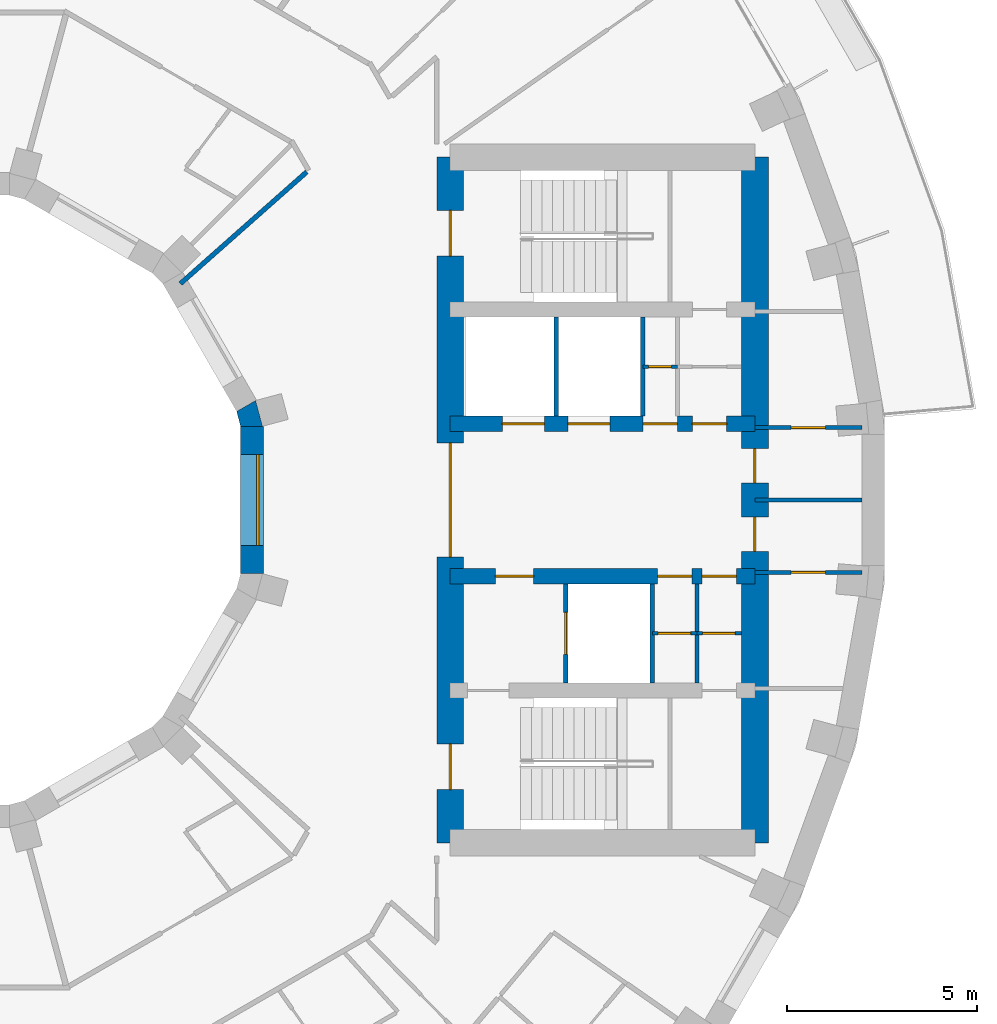
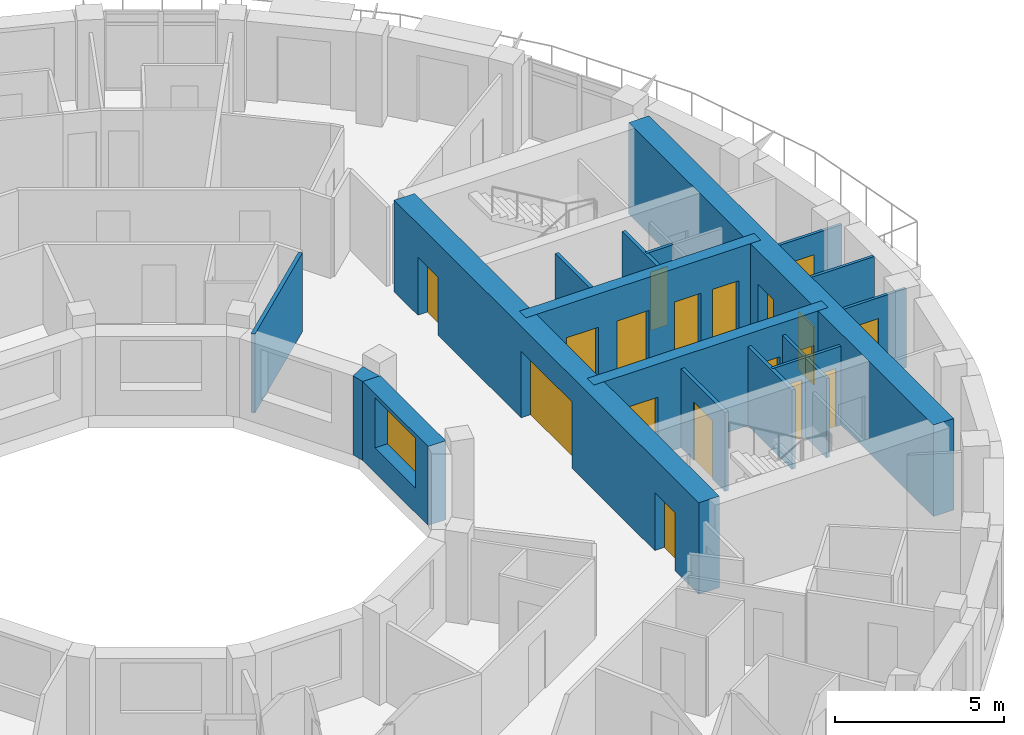
# One storey, part 9 of 15: 18 doors, 18 walls, 1 window, 19 openings.
"""IFC4 building model written with IfcOpenShell, lengths in metres."""

from ifc_helpers import new_model, si_unit, direction, frame, frame_2d, origin, place, context, subcontext, project, spatial, polyline, rectangle, outline, extrude, material, layer, layer_set, type_object, element, fill, save


model = new_model("IFC4")

# Units and contexts
model_context = context("Model", 3, precision=1e-05, world=origin(), true_north=direction((0.0, 1.0)))
body_context = subcontext(model_context, "Body", "Model", "MODEL_VIEW")
ifc_project = project(units=[si_unit("LENGTHUNIT", "METRE"), si_unit("AREAUNIT", "SQUARE_METRE"), si_unit("VOLUMEUNIT", "CUBIC_METRE"), si_unit("PLANEANGLEUNIT", "RADIAN"), si_unit("MASSUNIT", "GRAM", prefix="KILO")], contexts=[model_context])

# Site, building, storey
site_placement = place(None, origin())
site = spatial("IfcSite", under=ifc_project, at=site_placement, CompositionType="ELEMENT")
building_placement = place(site_placement, origin())
building = spatial("IfcBuilding", under=site, at=building_placement, Name="Saqina Gate Tower", CompositionType="ELEMENT")
storey_placement = place(building_placement, frame((0.0, 0.0, 193.800048828125)))
storey = spatial("IfcBuildingStorey", under=building, at=storey_placement, Name="L55", CompositionType="ELEMENT", Elevation=193.800048828125)

# Wall, opening, door
ifc_material_1 = material(Name="Gypsum board on steel studs", Category="steel")
ifc_layer_1 = layer(ifc_material_1, 0.10009765625)
ifc_layer_set_1 = layer_set([ifc_layer_1], Name="CORE PARTITION")
wall_type_1 = type_object("IfcWallType", Name="CORE PARTITION", PredefinedType="PARTITIONING", material=ifc_layer_set_1)
wall_1_placement = place(storey_placement, frame((21.5, 1.89990234375, 0.0), z_axis=(0.0, 0.0, 1.0), x_axis=(1.0, 0.0, 0.0)))
wall_1 = element("IfcWall", 1, at=wall_1_placement, inside=storey, type_object=wall_type_1, Name="L55-CP-E02", PredefinedType="PARTITIONING", context=body_context, shape_type="SweptSolid", body=[
    extrude(rectangle(XDim=2.804931640625, YDim=0.10009765625, at=frame_2d((1.40234375, 0.0))), origin(), (0.0, 0.0, 1.0), 2.849853515625),
])
opening_1_placement = place(wall_1_placement, frame((0.952392578125, 0.0, 0.0)))
opening_1 = element("IfcOpeningElement", 2, at=opening_1_placement, cuts=wall_1, Name="Opening G16-D95", PredefinedType="OPENING", context=body_context, shape_type="SweptSolid", body=[
    extrude(rectangle(XDim=0.89990234375, YDim=2.10009765625, at=frame_2d((0.449951171875, 1.050048828125))), frame((0.0, 0.06201171875, 0.0), z_axis=(0.0, -1.0, 0.0), x_axis=(1.0, 0.0, 0.0)), (0.0, 0.0, 1.0), 0.1240234375),
])
ifc_material_2 = material(Name="Steel-framed fire door leaf, EI 60", Category="steel")
door_type_1 = type_object("IfcDoorType", Name="SERVICE ROOM DOOR 900", OperationType="SINGLE_SWING_LEFT", PredefinedType="DOOR", material=ifc_material_2)
door_1_placement = place(opening_1_placement, origin())
door_1 = element("IfcDoor", 3, at=door_1_placement, inside=storey, type_object=door_type_1, Name="L55-CD-E06", OperationType="SINGLE_SWING_LEFT", OverallHeight=2.10009765625, OverallWidth=0.89990234375, PredefinedType="DOOR", context=body_context, shape_type="SweptSolid", body=[
    extrude(rectangle(XDim=0.89990234375, YDim=2.10009765625, at=frame_2d((0.449951171875, 1.050048828125))), frame((0.0, 0.02490234375, 0.0), z_axis=(0.0, -1.0, 0.0), x_axis=(1.0, 0.0, 0.0)), (0.0, 0.0, 1.0), 0.050048828125),
])
fill(opening_1, door_1)

wall_2_placement = place(storey_placement, frame((21.5, -1.89990234375, 0.0), z_axis=(0.0, 0.0, 1.0), x_axis=(1.0, 0.0, 0.0)))
wall_2 = element("IfcWall", 4, at=wall_2_placement, inside=storey, type_object=wall_type_1, Name="L55-CP-E04", PredefinedType="PARTITIONING", context=body_context, shape_type="SweptSolid", body=[
    extrude(rectangle(XDim=2.804931640625, YDim=0.10009765625, at=frame_2d((1.40234375, 0.0))), origin(), (0.0, 0.0, 1.0), 2.849853515625),
])
opening_2_placement = place(wall_2_placement, frame((0.952392578125, 0.0, 0.0)))
opening_2 = element("IfcOpeningElement", 5, at=opening_2_placement, cuts=wall_2, Name="Opening G16-D97", PredefinedType="OPENING", context=body_context, shape_type="SweptSolid", body=[
    extrude(rectangle(XDim=0.89990234375, YDim=2.10009765625, at=frame_2d((0.449951171875, 1.050048828125))), frame((0.0, 0.06201171875, 0.0), z_axis=(0.0, -1.0, 0.0), x_axis=(1.0, 0.0, 0.0)), (0.0, 0.0, 1.0), 0.1240234375),
])
door_2_placement = place(opening_2_placement, frame((0.89990234375, 0.0, 0.0), z_axis=(0.0, 0.0, 1.0), x_axis=(-1.0, 0.0, 0.0)))
door_2 = element("IfcDoor", 6, at=door_2_placement, inside=storey, type_object=door_type_1, Name="L55-CD-E08", OperationType="SINGLE_SWING_RIGHT", OverallHeight=2.10009765625, OverallWidth=0.89990234375, PredefinedType="DOOR", context=body_context, shape_type="SweptSolid", body=[
    extrude(rectangle(XDim=0.89990234375, YDim=2.10009765625, at=frame_2d((0.449951171875, 1.050048828125))), frame((0.0, 0.02490234375, 0.0), z_axis=(0.0, -1.0, 0.0), x_axis=(1.0, 0.0, 0.0)), (0.0, 0.0, 1.0), 0.050048828125),
])
fill(opening_2, door_2)

# Walls
wall_3_placement = place(storey_placement, frame((21.5, 0.0, 0.0), z_axis=(0.0, 0.0, 1.0), x_axis=(1.0, 0.0, 0.0)))
element("IfcWall", 7, at=wall_3_placement, inside=storey, type_object=wall_type_1, Name="L55-CP-E05", PredefinedType="PARTITIONING", context=body_context, shape_type="SweptSolid", body=[
    extrude(rectangle(XDim=2.804931640625, YDim=0.10009765625, at=frame_2d((1.40234375, 0.0))), origin(), (0.0, 0.0, 1.0), 2.849853515625),
])
wall_4_placement = place(storey_placement, frame((19.97998046875, -4.800048828125, 0.0), z_axis=(0.0, 0.0, 1.0), x_axis=(0.0, 1.0, 0.0)))
element("IfcWall", 8, at=wall_4_placement, inside=storey, type_object=wall_type_1, Name="L55-CP-E11", PredefinedType="PARTITIONING", context=body_context, shape_type="SweptSolid", body=[
    extrude(rectangle(XDim=2.60009765625, YDim=0.10009765625, at=frame_2d((1.300048828125, 0.0))), origin(), (0.0, 0.0, 1.0), 2.849853515625),
])

# Wall, opening, door
wall_5_placement = place(storey_placement, frame((18.56005859375, 3.5, 0.0), z_axis=(0.0, 0.0, 1.0), x_axis=(1.0, 0.0, 0.0)))
wall_5 = element("IfcWall", 9, at=wall_5_placement, inside=storey, type_object=wall_type_1, Name="L55-CP-E12", PredefinedType="PARTITIONING", context=body_context, shape_type="SweptSolid", body=[
    extrude(rectangle(XDim=0.906494140625, YDim=0.10009765625, at=frame_2d((0.453125, 0.0))), origin(), (0.0, 0.0, 1.0), 2.849853515625),
])
opening_3_placement = place(wall_5_placement, frame((0.149658203125, 0.0, 0.0)))
opening_3 = element("IfcOpeningElement", 10, at=opening_3_placement, cuts=wall_5, Name="Opening G16-D99", PredefinedType="OPENING", context=body_context, shape_type="SweptSolid", body=[
    extrude(rectangle(XDim=0.60009765625, YDim=2.10009765625, at=frame_2d((0.300048828125, 1.050048828125))), frame((0.0, 0.06201171875, 0.0), z_axis=(0.0, -1.0, 0.0), x_axis=(1.0, 0.0, 0.0)), (0.0, 0.0, 1.0), 0.1240234375),
])
ifc_material_3 = material(Name="Steel-framed fire door leaf, EI 60", Category="steel")
door_type_2 = type_object("IfcDoorType", Name="SERVICE ROOM DOOR 600", OperationType="SINGLE_SWING_LEFT", PredefinedType="DOOR", material=ifc_material_3)
door_3_placement = place(opening_3_placement, origin())
door_3 = element("IfcDoor", 11, at=door_3_placement, inside=storey, type_object=door_type_2, Name="L55-CD-E10", OperationType="SINGLE_SWING_LEFT", OverallHeight=2.10009765625, OverallWidth=0.60009765625, PredefinedType="DOOR", context=body_context, shape_type="SweptSolid", body=[
    extrude(rectangle(XDim=0.60009765625, YDim=2.10009765625, at=frame_2d((0.300048828125, 1.050048828125))), frame((0.0, 0.02490234375, 0.0), z_axis=(0.0, -1.0, 0.0), x_axis=(1.0, 0.0, 0.0)), (0.0, 0.0, 1.0), 0.050048828125),
])
fill(opening_3, door_3)

wall_6_placement = place(storey_placement, frame((18.81005859375, -3.5, 0.0), z_axis=(0.0, 0.0, 1.0), x_axis=(1.0, 0.0, 0.0)))
wall_6 = element("IfcWall", 12, at=wall_6_placement, inside=storey, type_object=wall_type_1, Name="L55-CP-E14", PredefinedType="PARTITIONING", context=body_context, shape_type="SweptSolid", body=[
    extrude(rectangle(XDim=1.169921875, YDim=0.10009765625, at=frame_2d((0.5849609375, 0.0))), origin(), (0.0, 0.0, 1.0), 2.849853515625),
])
opening_4_placement = place(wall_6_placement, frame((0.14990234375, 0.0, 0.0)))
opening_4 = element("IfcOpeningElement", 13, at=opening_4_placement, cuts=wall_6, Name="Opening G16-D102", PredefinedType="OPENING", context=body_context, shape_type="SweptSolid", body=[
    extrude(rectangle(XDim=0.85009765625, YDim=2.10009765625, at=frame_2d((0.425048828125, 1.050048828125))), frame((0.0, 0.06201171875, 0.0), z_axis=(0.0, -1.0, 0.0), x_axis=(1.0, 0.0, 0.0)), (0.0, 0.0, 1.0), 0.1240234375),
])
ifc_material_4 = material(Name="Steel-framed fire door leaf, EI 60", Category="steel")
door_type_3 = type_object("IfcDoorType", Name="SERVICE ROOM DOOR 850", OperationType="SINGLE_SWING_LEFT", PredefinedType="DOOR", material=ifc_material_4)
door_4_placement = place(opening_4_placement, frame((0.85009765625, 0.0, 0.0), z_axis=(0.0, 0.0, 1.0), x_axis=(-1.0, 0.0, 0.0)))
door_4 = element("IfcDoor", 14, at=door_4_placement, inside=storey, type_object=door_type_3, Name="L55-CD-E13", OperationType="SINGLE_SWING_RIGHT", OverallHeight=2.10009765625, OverallWidth=0.85009765625, PredefinedType="DOOR", context=body_context, shape_type="SweptSolid", body=[
    extrude(rectangle(XDim=0.85009765625, YDim=2.10009765625, at=frame_2d((0.425048828125, 1.050048828125))), frame((0.0, 0.02490234375, 0.0), z_axis=(0.0, -1.0, 0.0), x_axis=(1.0, 0.0, 0.0)), (0.0, 0.0, 1.0), 0.050048828125),
])
fill(opening_4, door_4)

wall_7_placement = place(storey_placement, frame((19.97998046875, -3.5, 0.0), z_axis=(0.0, 0.0, 1.0), x_axis=(1.0, 0.0, 0.0)))
wall_7 = element("IfcWall", 15, at=wall_7_placement, inside=storey, type_object=wall_type_1, Name="L55-CP-E15", PredefinedType="PARTITIONING", context=body_context, shape_type="SweptSolid", body=[
    extrude(rectangle(XDim=1.169921875, YDim=0.10009765625, at=frame_2d((0.5849609375, 0.0))), origin(), (0.0, 0.0, 1.0), 2.849853515625),
])
opening_5_placement = place(wall_7_placement, frame((0.14990234375, 0.0, 0.0)))
opening_5 = element("IfcOpeningElement", 16, at=opening_5_placement, cuts=wall_7, Name="Opening G16-D103", PredefinedType="OPENING", context=body_context, shape_type="SweptSolid", body=[
    extrude(rectangle(XDim=0.85009765625, YDim=2.10009765625, at=frame_2d((0.425048828125, 1.050048828125))), frame((0.0, 0.06201171875, 0.0), z_axis=(0.0, -1.0, 0.0), x_axis=(1.0, 0.0, 0.0)), (0.0, 0.0, 1.0), 0.1240234375),
])
door_5_placement = place(opening_5_placement, frame((0.85009765625, 0.0, 0.0), z_axis=(0.0, 0.0, 1.0), x_axis=(-1.0, 0.0, 0.0)))
door_5 = element("IfcDoor", 17, at=door_5_placement, inside=storey, type_object=door_type_3, Name="L55-CD-E14", OperationType="SINGLE_SWING_LEFT", OverallHeight=2.10009765625, OverallWidth=0.85009765625, PredefinedType="DOOR", context=body_context, shape_type="SweptSolid", body=[
    extrude(rectangle(XDim=0.85009765625, YDim=2.10009765625, at=frame_2d((0.425048828125, 1.050048828125))), frame((0.0, 0.02490234375, 0.0), z_axis=(0.0, -1.0, 0.0), x_axis=(1.0, 0.0, 0.0)), (0.0, 0.0, 1.0), 0.050048828125),
])
fill(opening_5, door_5)

# Wall, opening, window
ifc_material_5 = material(Name="Glazed ceramic tile", Category="ceramic")
ifc_layer_2 = layer(ifc_material_5, 0.60009765625)
ifc_layer_set_2 = layer_set([ifc_layer_2], Name="IW-TILE")
wall_type_2 = type_object("IfcWallType", Name="IW-TILE", PredefinedType="SOLIDWALL", material=ifc_layer_set_2)
wall_8_placement = place(storey_placement, frame((8.300048828125, -1.934814453125, 0.0), z_axis=(0.0, 0.0, 1.0), x_axis=(0.0, 1.0, 0.0)))
wall_8 = element("IfcWall", 18, at=wall_8_placement, inside=storey, type_object=wall_type_2, Name="Well wall L55 facet 12", PredefinedType="SOLIDWALL", context=body_context, shape_type="SweptSolid", body=[
    extrude(rectangle(XDim=3.86962890625, YDim=0.60009765625, at=frame_2d((1.934814453125, 0.0))), origin(), (0.0, 0.0, 1.0), 2.849853515625),
])
opening_6_placement = place(wall_8_placement, frame((0.73486328125, 0.0, 0.89990234375)))
opening_6 = element("IfcOpeningElement", 19, at=opening_6_placement, cuts=wall_8, Name="Opening G16-W34", PredefinedType="OPENING", context=body_context, shape_type="SweptSolid", body=[
    extrude(rectangle(XDim=2.39990234375, YDim=1.800048828125, at=frame_2d((1.199951171875, 0.89990234375))), frame((0.0, 0.31201171875, 0.0), z_axis=(0.0, -1.0, 0.0), x_axis=(1.0, 0.0, 0.0)), (0.0, 0.0, 1.0), 0.6240234375),
])
ifc_material_6 = material(Name="Aluminium glazing", Category="aluminium")
window_type = type_object("IfcWindowType", Name="WN-W", PartitioningType="SINGLE_PANEL", PredefinedType="WINDOW", material=ifc_material_6)
window_placement = place(opening_6_placement, origin())
window = element("IfcWindow", 20, at=window_placement, inside=storey, type_object=window_type, Name="Well window L55 facet 12", OverallHeight=1.800048828125, OverallWidth=2.39990234375, PartitioningType="SINGLE_PANEL", PredefinedType="WINDOW", context=body_context, shape_type="SweptSolid", body=[
    extrude(rectangle(XDim=2.39990234375, YDim=1.800048828125, at=frame_2d((1.199951171875, 0.89990234375))), frame((0.0, -0.119873046875, 0.0), z_axis=(0.0, -1.0, 0.0), x_axis=(1.0, 0.0, 0.0)), (0.0, 0.0, 1.0), 0.06005859375),
])
fill(opening_6, window)

# Walls
ifc_material_7 = material(Name="Gypsum board on steel studs, 125 mm, fire rated", Category="steel")
ifc_layer_3 = layer(ifc_material_7, 0.125)
ifc_layer_set_3 = layer_set([ifc_layer_3], Name="PARTITION EI 30 125")
wall_type_3 = type_object("IfcWallType", Name="PARTITION EI 30 125", PredefinedType="PARTITIONING", material=ifc_layer_set_3)
wall_9_placement = place(storey_placement, frame((6.419921875, 5.679931640625, 0.0), z_axis=(0.0, 0.0, 1.0), x_axis=(0.748961830347, 0.662613142552, 0.0)))
element("IfcWall", 21, at=wall_9_placement, inside=storey, type_object=wall_type_3, Name="PARTITION PW1-41", PredefinedType="PARTITIONING", context=body_context, shape_type="SweptSolid", body=[
    extrude(rectangle(XDim=4.427734375, YDim=0.125, at=frame_2d((2.2138671875, 0.0))), origin(), (0.0, 0.0, 1.0), 2.849853515625),
])
ifc_material_8 = material(Name="Autoclaved aerated concrete block", Category="concrete")
ifc_layer_4 = layer(ifc_material_8, 0.1201171875)
ifc_layer_set_4 = layer_set([ifc_layer_4], Name="SHAFT PARTITION")
wall_type_4 = type_object("IfcWallType", Name="SHAFT PARTITION", PredefinedType="PARTITIONING", material=ifc_layer_set_4)
for number, where, z_axis, x_axis, name in (
    (22, (16.280029296875, 2.199951171875, 0.0), (0.0, 0.0, 1.0), (0.0, 1.0, 0.0), "L55-CP-E06"),
    (23, (18.56005859375, 2.199951171875, 0.0), (0.0, 0.0, 1.0), (0.0, 1.0, 0.0), "L55-CP-E07"),
):
    element("IfcWall", number, at=place(storey_placement, frame(where, z_axis=z_axis, x_axis=x_axis)), inside=storey, type_object=wall_type_4, Name=name, PredefinedType="PARTITIONING", context=body_context, shape_type="SweptSolid", body=[
        extrude(rectangle(XDim=2.60009765625, YDim=0.1201171875, at=frame_2d((1.300048828125, 0.0))), origin(), (0.0, 0.0, 1.0), 2.849853515625),
    ])

# Wall, opening, door
wall_10_placement = place(storey_placement, frame((16.530029296875, -4.800048828125, 0.0), z_axis=(0.0, 0.0, 1.0), x_axis=(0.0, 1.0, 0.0)))
wall_10 = element("IfcWall", 24, at=wall_10_placement, inside=storey, type_object=wall_type_4, Name="L55-CP-E09", PredefinedType="PARTITIONING", context=body_context, shape_type="SweptSolid", body=[
    extrude(rectangle(XDim=2.60009765625, YDim=0.1201171875, at=frame_2d((1.300048828125, 0.0))), origin(), (0.0, 0.0, 1.0), 2.849853515625),
])
opening_7_placement = place(wall_10_placement, frame((0.75, 0.0, 0.0)))
opening_7 = element("IfcOpeningElement", 25, at=opening_7_placement, cuts=wall_10, Name="Opening G16-LD3", PredefinedType="OPENING", context=body_context, shape_type="SweptSolid", body=[
    extrude(rectangle(XDim=1.10009765625, YDim=2.10009765625, at=frame_2d((0.550048828125, 1.050048828125))), frame((0.0, 0.072021484375, 0.0), z_axis=(0.0, -1.0, 0.0), x_axis=(1.0, 0.0, 0.0)), (0.0, 0.0, 1.0), 0.14404296875),
])
ifc_material_9 = material(Name="Stainless steel", Category="steel")
door_type_4 = type_object("IfcDoorType", Name="LANDING DOOR", OperationType="DOUBLE_DOOR_SLIDING", PredefinedType="DOOR", material=ifc_material_9)
door_6_placement = place(opening_7_placement, origin())
door_6 = element("IfcDoor", 26, at=door_6_placement, inside=storey, type_object=door_type_4, Name="LANDING DOOR FF1", OperationType="DOUBLE_DOOR_SLIDING", OverallHeight=2.10009765625, OverallWidth=1.10009765625, PredefinedType="DOOR", context=body_context, shape_type="SweptSolid", body=[
    extrude(rectangle(XDim=1.10009765625, YDim=2.10009765625, at=frame_2d((0.550048828125, 1.050048828125))), frame((0.0, 0.02490234375, 0.0), z_axis=(0.0, -1.0, 0.0), x_axis=(1.0, 0.0, 0.0)), (0.0, 0.0, 1.0), 0.050048828125),
])
fill(opening_7, door_6)

# Wall
wall_11_placement = place(storey_placement, frame((18.81005859375, -4.800048828125, 0.0), z_axis=(0.0, 0.0, 1.0), x_axis=(0.0, 1.0, 0.0)))
element("IfcWall", 27, at=wall_11_placement, inside=storey, type_object=wall_type_4, Name="L55-CP-E10", PredefinedType="PARTITIONING", context=body_context, shape_type="SweptSolid", body=[
    extrude(rectangle(XDim=2.60009765625, YDim=0.1201171875, at=frame_2d((1.300048828125, 0.0))), origin(), (0.0, 0.0, 1.0), 2.849853515625),
])

# Wall, openings, doors
ifc_material_10 = material(Name="Concrete C60/75", Category="concrete")
ifc_layer_5 = layer(ifc_material_10, 0.39990234375)
ifc_layer_set_5 = layer_set([ifc_layer_5], Name="Concrete C60/75")
wall_type_5 = type_object("IfcWallType", Name="STR-CORE WALL-C-I", PredefinedType="SHEAR", material=ifc_layer_set_5)
wall_12_placement = place(storey_placement, frame((13.5, 2.0, 0.0), z_axis=(0.0, 0.0, 1.0), x_axis=(1.0, 0.0, 0.0)))
wall_12 = element("IfcWall", 28, at=wall_12_placement, inside=storey, type_object=wall_type_5, Name="CORE WALL L55 E-L1", PredefinedType="SHEAR", context=body_context, shape_type="SweptSolid", body=[
    extrude(rectangle(XDim=8.0, YDim=0.39990234375, at=frame_2d((4.0, 0.0))), origin(), (0.0, 0.0, 1.0), 3.300048828125),
])
opening_8_placement = place(wall_12_placement, frame((1.3701171875, 0.0, 0.0)))
opening_8 = element("IfcOpeningElement", 29, at=opening_8_placement, cuts=wall_12, Name="Opening G16-LD1", PredefinedType="OPENING", context=body_context, shape_type="SweptSolid", body=[
    extrude(rectangle(XDim=1.10009765625, YDim=2.10009765625, at=frame_2d((0.550048828125, 1.050048828125))), frame((0.0, 0.2119140625, 0.0), z_axis=(0.0, -1.0, 0.0), x_axis=(1.0, 0.0, 0.0)), (0.0, 0.0, 1.0), 0.423828125),
])
opening_9_placement = place(wall_12_placement, frame((3.090087890625, 0.0, 0.0)))
opening_9 = element("IfcOpeningElement", 30, at=opening_9_placement, cuts=wall_12, Name="Opening G16-LD2", PredefinedType="OPENING", context=body_context, shape_type="SweptSolid", body=[
    extrude(rectangle(XDim=1.10009765625, YDim=2.10009765625, at=frame_2d((0.550048828125, 1.050048828125))), frame((0.0, 0.2119140625, 0.0), z_axis=(0.0, -1.0, 0.0), x_axis=(1.0, 0.0, 0.0)), (0.0, 0.0, 1.0), 0.423828125),
])
opening_10_placement = place(wall_12_placement, frame((5.063232421875, 0.0, 0.0)))
opening_10 = element("IfcOpeningElement", 31, at=opening_10_placement, cuts=wall_12, Name="Opening G16-D90", PredefinedType="OPENING", context=body_context, shape_type="SweptSolid", body=[
    extrude(rectangle(XDim=0.89990234375, YDim=2.10009765625, at=frame_2d((0.449951171875, 1.050048828125))), frame((0.0, 0.2119140625, 0.0), z_axis=(0.0, -1.0, 0.0), x_axis=(1.0, 0.0, 0.0)), (0.0, 0.0, 1.0), 0.423828125),
])
opening_11_placement = place(wall_12_placement, frame((6.358154296875, 0.0, 0.0)))
opening_11 = element("IfcOpeningElement", 32, at=opening_11_placement, cuts=wall_12, Name="Opening G16-D91", PredefinedType="OPENING", context=body_context, shape_type="SweptSolid", body=[
    extrude(rectangle(XDim=0.89990234375, YDim=2.10009765625, at=frame_2d((0.449951171875, 1.050048828125))), frame((0.0, 0.2119140625, 0.0), z_axis=(0.0, -1.0, 0.0), x_axis=(1.0, 0.0, 0.0)), (0.0, 0.0, 1.0), 0.423828125),
])
door_7_placement = place(opening_8_placement, origin())
door_7 = element("IfcDoor", 33, at=door_7_placement, inside=storey, type_object=door_type_4, Name="LANDING DOOR HR1", OperationType="DOUBLE_DOOR_SLIDING", OverallHeight=2.10009765625, OverallWidth=1.10009765625, PredefinedType="DOOR", context=body_context, shape_type="SweptSolid", body=[
    extrude(rectangle(XDim=1.10009765625, YDim=2.10009765625, at=frame_2d((0.550048828125, 1.050048828125))), frame((0.0, 0.02490234375, 0.0), z_axis=(0.0, -1.0, 0.0), x_axis=(1.0, 0.0, 0.0)), (0.0, 0.0, 1.0), 0.050048828125),
])
fill(opening_8, door_7)
door_8_placement = place(opening_9_placement, origin())
door_8 = element("IfcDoor", 34, at=door_8_placement, inside=storey, type_object=door_type_4, Name="LANDING DOOR HR2", OperationType="DOUBLE_DOOR_SLIDING", OverallHeight=2.10009765625, OverallWidth=1.10009765625, PredefinedType="DOOR", context=body_context, shape_type="SweptSolid", body=[
    extrude(rectangle(XDim=1.10009765625, YDim=2.10009765625, at=frame_2d((0.550048828125, 1.050048828125))), frame((0.0, 0.02490234375, 0.0), z_axis=(0.0, -1.0, 0.0), x_axis=(1.0, 0.0, 0.0)), (0.0, 0.0, 1.0), 0.050048828125),
])
fill(opening_9, door_8)
door_9_placement = place(opening_10_placement, origin())
door_9 = element("IfcDoor", 35, at=door_9_placement, inside=storey, type_object=door_type_1, Name="L55-CD-E01", OperationType="SINGLE_SWING_LEFT", OverallHeight=2.10009765625, OverallWidth=0.89990234375, PredefinedType="DOOR", context=body_context, shape_type="SweptSolid", body=[
    extrude(rectangle(XDim=0.89990234375, YDim=2.10009765625, at=frame_2d((0.449951171875, 1.050048828125))), frame((0.0, 0.02490234375, 0.0), z_axis=(0.0, -1.0, 0.0), x_axis=(1.0, 0.0, 0.0)), (0.0, 0.0, 1.0), 0.050048828125),
])
fill(opening_10, door_9)
door_10_placement = place(opening_11_placement, origin())
door_10 = element("IfcDoor", 36, at=door_10_placement, inside=storey, type_object=door_type_1, Name="L55-CD-E02", OperationType="SINGLE_SWING_RIGHT", OverallHeight=2.10009765625, OverallWidth=0.89990234375, PredefinedType="DOOR", context=body_context, shape_type="SweptSolid", body=[
    extrude(rectangle(XDim=0.89990234375, YDim=2.10009765625, at=frame_2d((0.449951171875, 1.050048828125))), frame((0.0, 0.02490234375, 0.0), z_axis=(0.0, -1.0, 0.0), x_axis=(1.0, 0.0, 0.0)), (0.0, 0.0, 1.0), 0.050048828125),
])
fill(opening_11, door_10)

wall_13_placement = place(storey_placement, frame((13.5, -2.0, 0.0), z_axis=(0.0, 0.0, 1.0), x_axis=(1.0, 0.0, 0.0)))
wall_13 = element("IfcWall", 37, at=wall_13_placement, inside=storey, type_object=wall_type_5, Name="CORE WALL L55 E-L2", PredefinedType="SHEAR", context=body_context, shape_type="SweptSolid", body=[
    extrude(rectangle(XDim=8.0, YDim=0.39990234375, at=frame_2d((4.0, 0.0))), origin(), (0.0, 0.0, 1.0), 3.300048828125),
])
opening_12_placement = place(wall_13_placement, frame((1.18994140625, 0.0, 0.0)))
opening_12 = element("IfcOpeningElement", 38, at=opening_12_placement, cuts=wall_13, Name="Opening G16-D92", PredefinedType="OPENING", context=body_context, shape_type="SweptSolid", body=[
    extrude(rectangle(XDim=1.0, YDim=2.10009765625, at=frame_2d((0.5, 1.050048828125))), frame((0.0, 0.2119140625, 0.0), z_axis=(0.0, -1.0, 0.0), x_axis=(1.0, 0.0, 0.0)), (0.0, 0.0, 1.0), 0.423828125),
])
opening_13_placement = place(wall_13_placement, frame((5.445068359375, 0.0, 0.0)))
opening_13 = element("IfcOpeningElement", 39, at=opening_13_placement, cuts=wall_13, Name="Opening G16-D93", PredefinedType="OPENING", context=body_context, shape_type="SweptSolid", body=[
    extrude(rectangle(XDim=0.89990234375, YDim=2.10009765625, at=frame_2d((0.449951171875, 1.050048828125))), frame((0.0, 0.2119140625, 0.0), z_axis=(0.0, -1.0, 0.0), x_axis=(1.0, 0.0, 0.0)), (0.0, 0.0, 1.0), 0.423828125),
])
opening_14_placement = place(wall_13_placement, frame((6.614990234375, 0.0, 0.0)))
opening_14 = element("IfcOpeningElement", 40, at=opening_14_placement, cuts=wall_13, Name="Opening G16-D94", PredefinedType="OPENING", context=body_context, shape_type="SweptSolid", body=[
    extrude(rectangle(XDim=0.89990234375, YDim=2.10009765625, at=frame_2d((0.449951171875, 1.050048828125))), frame((0.0, 0.2119140625, 0.0), z_axis=(0.0, -1.0, 0.0), x_axis=(1.0, 0.0, 0.0)), (0.0, 0.0, 1.0), 0.423828125),
])
ifc_material_11 = material(Name="Steel", Category="steel")
door_type_5 = type_object("IfcDoorType", Name="FIRE LOBBY DOOR EI 60", OperationType="SINGLE_SWING_LEFT", PredefinedType="DOOR", material=ifc_material_11)
door_11_placement = place(opening_12_placement, origin())
door_11 = element("IfcDoor", 41, at=door_11_placement, inside=storey, type_object=door_type_5, Name="L55-CD-E03", OperationType="SINGLE_SWING_LEFT", OverallHeight=2.10009765625, OverallWidth=1.0, PredefinedType="DOOR", context=body_context, shape_type="SweptSolid", body=[
    extrude(rectangle(XDim=1.0, YDim=2.10009765625, at=frame_2d((0.5, 1.050048828125))), frame((0.0, 0.02490234375, 0.0), z_axis=(0.0, -1.0, 0.0), x_axis=(1.0, 0.0, 0.0)), (0.0, 0.0, 1.0), 0.050048828125),
])
fill(opening_12, door_11)
door_12_placement = place(opening_13_placement, frame((0.89990234375, 0.0, 0.0), z_axis=(0.0, 0.0, 1.0), x_axis=(-1.0, 0.0, 0.0)))
door_12 = element("IfcDoor", 42, at=door_12_placement, inside=storey, type_object=door_type_1, Name="L55-CD-E04", OperationType="SINGLE_SWING_RIGHT", OverallHeight=2.10009765625, OverallWidth=0.89990234375, PredefinedType="DOOR", context=body_context, shape_type="SweptSolid", body=[
    extrude(rectangle(XDim=0.89990234375, YDim=2.10009765625, at=frame_2d((0.449951171875, 1.050048828125))), frame((0.0, 0.02490234375, 0.0), z_axis=(0.0, -1.0, 0.0), x_axis=(1.0, 0.0, 0.0)), (0.0, 0.0, 1.0), 0.050048828125),
])
fill(opening_13, door_12)
door_13_placement = place(opening_14_placement, frame((0.89990234375, 0.0, 0.0), z_axis=(0.0, 0.0, 1.0), x_axis=(-1.0, 0.0, 0.0)))
door_13 = element("IfcDoor", 43, at=door_13_placement, inside=storey, type_object=door_type_1, Name="L55-CD-E05", OperationType="SINGLE_SWING_LEFT", OverallHeight=2.10009765625, OverallWidth=0.89990234375, PredefinedType="DOOR", context=body_context, shape_type="SweptSolid", body=[
    extrude(rectangle(XDim=0.89990234375, YDim=2.10009765625, at=frame_2d((0.449951171875, 1.050048828125))), frame((0.0, 0.02490234375, 0.0), z_axis=(0.0, -1.0, 0.0), x_axis=(1.0, 0.0, 0.0)), (0.0, 0.0, 1.0), 0.050048828125),
])
fill(opening_14, door_13)

ifc_material_12 = material(Name="Concrete C60/75", Category="concrete")
ifc_layer_6 = layer(ifc_material_12, 0.699951171875)
ifc_layer_set_6 = layer_set([ifc_layer_6], Name="Concrete C60/75")
wall_type_6 = type_object("IfcWallType", Name="STR-CORE WALL-C-O", PredefinedType="SHEAR", material=ifc_layer_set_6)
wall_14_placement = place(storey_placement, frame((13.5, -9.0, 0.0), z_axis=(0.0, 0.0, 1.0), x_axis=(0.0, 1.0, 0.0)))
wall_14 = element("IfcWall", 44, at=wall_14_placement, inside=storey, type_object=wall_type_6, Name="CORE WALL L55 E-W1", PredefinedType="SHEAR", context=body_context, shape_type="SweptSolid", body=[
    extrude(rectangle(XDim=18.0, YDim=0.699951171875, at=frame_2d((9.0, 0.0))), origin(), (0.0, 0.0, 1.0), 3.300048828125),
])
opening_15_placement = place(wall_14_placement, frame((15.39990234375, 0.0, 0.0)))
opening_15 = element("IfcOpeningElement", 45, at=opening_15_placement, cuts=wall_14, Name="Opening G16-D106", PredefinedType="OPENING", context=body_context, shape_type="SweptSolid", body=[
    extrude(rectangle(XDim=1.199951171875, YDim=2.10009765625, at=frame_2d((0.60009765625, 1.050048828125))), frame((0.0, 0.362060546875, 0.0), z_axis=(0.0, -1.0, 0.0), x_axis=(1.0, 0.0, 0.0)), (0.0, 0.0, 1.0), 0.723876953125),
])
opening_16_placement = place(wall_14_placement, frame((1.39990234375, 0.0, 0.0)))
opening_16 = element("IfcOpeningElement", 46, at=opening_16_placement, cuts=wall_14, Name="Opening G16-D107", PredefinedType="OPENING", context=body_context, shape_type="SweptSolid", body=[
    extrude(rectangle(XDim=1.199951171875, YDim=2.10009765625, at=frame_2d((0.60009765625, 1.050048828125))), frame((0.0, 0.362060546875, 0.0), z_axis=(0.0, -1.0, 0.0), x_axis=(1.0, 0.0, 0.0)), (0.0, 0.0, 1.0), 0.723876953125),
])
opening_17_placement = place(wall_14_placement, frame((7.5, 0.0, 0.0)))
opening_17 = element("IfcOpeningElement", 47, at=opening_17_placement, cuts=wall_14, Name="Opening G16-D108", PredefinedType="OPENING", context=body_context, shape_type="SweptSolid", body=[
    extrude(rectangle(XDim=3.0, YDim=2.39990234375, at=frame_2d((1.5, 1.199951171875))), frame((0.0, 0.362060546875, 0.0), z_axis=(0.0, -1.0, 0.0), x_axis=(1.0, 0.0, 0.0)), (0.0, 0.0, 1.0), 0.723876953125),
])
ifc_material_13 = material(Name="Steel", Category="steel")
door_type_6 = type_object("IfcDoorType", Name="FIRE DOOR EI 60", OperationType="SINGLE_SWING_LEFT", PredefinedType="DOOR", material=ifc_material_13)
door_14_placement = place(opening_15_placement, frame((1.199951171875, 0.0, 0.0), z_axis=(0.0, 0.0, 1.0), x_axis=(-1.0, 0.0, 0.0)))
door_14 = element("IfcDoor", 48, at=door_14_placement, inside=storey, type_object=door_type_6, Name="L55-CD-E17", OperationType="SINGLE_SWING_LEFT", OverallHeight=2.10009765625, OverallWidth=1.199951171875, PredefinedType="DOOR", context=body_context, shape_type="SweptSolid", body=[
    extrude(rectangle(XDim=1.199951171875, YDim=2.10009765625, at=frame_2d((0.60009765625, 1.050048828125))), frame((0.0, 0.02490234375, 0.0), z_axis=(0.0, -1.0, 0.0), x_axis=(1.0, 0.0, 0.0)), (0.0, 0.0, 1.0), 0.050048828125),
])
fill(opening_15, door_14)
door_15_placement = place(opening_16_placement, frame((1.199951171875, 0.0, 0.0), z_axis=(0.0, 0.0, 1.0), x_axis=(-1.0, 0.0, 0.0)))
door_15 = element("IfcDoor", 49, at=door_15_placement, inside=storey, type_object=door_type_6, Name="L55-CD-E18", OperationType="SINGLE_SWING_RIGHT", OverallHeight=2.10009765625, OverallWidth=1.199951171875, PredefinedType="DOOR", context=body_context, shape_type="SweptSolid", body=[
    extrude(rectangle(XDim=1.199951171875, YDim=2.10009765625, at=frame_2d((0.60009765625, 1.050048828125))), frame((0.0, 0.02490234375, 0.0), z_axis=(0.0, -1.0, 0.0), x_axis=(1.0, 0.0, 0.0)), (0.0, 0.0, 1.0), 0.050048828125),
])
fill(opening_16, door_15)
ifc_material_14 = material(Name="Steel and fire-resisting glass", Category="steel")
door_type_7 = type_object("IfcDoorType", Name="LOBBY SCREEN DOOR", OperationType="DOUBLE_DOOR_SLIDING", PredefinedType="DOOR", material=ifc_material_14)
door_16_placement = place(opening_17_placement, origin())
door_16 = element("IfcDoor", 50, at=door_16_placement, inside=storey, type_object=door_type_7, Name="L55-CD-E19", OperationType="DOUBLE_DOOR_SLIDING", OverallHeight=2.39990234375, OverallWidth=3.0, PredefinedType="DOOR", context=body_context, shape_type="SweptSolid", body=[
    extrude(rectangle(XDim=3.0, YDim=2.39990234375, at=frame_2d((1.5, 1.199951171875))), frame((0.0, 0.02490234375, 0.0), z_axis=(0.0, -1.0, 0.0), x_axis=(1.0, 0.0, 0.0)), (0.0, 0.0, 1.0), 0.050048828125),
])
fill(opening_17, door_16)

wall_15_placement = place(storey_placement, frame((21.5, -9.0, 0.0), z_axis=(0.0, 0.0, 1.0), x_axis=(0.0, 1.0, 0.0)))
wall_15 = element("IfcWall", 51, at=wall_15_placement, inside=storey, type_object=wall_type_6, Name="CORE WALL L55 E-W2", PredefinedType="SHEAR", context=body_context, shape_type="SweptSolid", body=[
    extrude(rectangle(XDim=18.0, YDim=0.699951171875, at=frame_2d((9.0, 0.0))), origin(), (0.0, 0.0, 1.0), 3.300048828125),
])
opening_18_placement = place(wall_15_placement, frame((9.449951171875, 0.0, 0.0)))
opening_18 = element("IfcOpeningElement", 52, at=opening_18_placement, cuts=wall_15, Name="Opening G16-D96", PredefinedType="OPENING", context=body_context, shape_type="SweptSolid", body=[
    extrude(rectangle(XDim=0.89990234375, YDim=2.10009765625, at=frame_2d((0.449951171875, 1.050048828125))), frame((0.0, 0.362060546875, 0.0), z_axis=(0.0, -1.0, 0.0), x_axis=(1.0, 0.0, 0.0)), (0.0, 0.0, 1.0), 0.723876953125),
])
opening_19_placement = place(wall_15_placement, frame((7.64990234375, 0.0, 0.0)))
opening_19 = element("IfcOpeningElement", 53, at=opening_19_placement, cuts=wall_15, Name="Opening G16-D98", PredefinedType="OPENING", context=body_context, shape_type="SweptSolid", body=[
    extrude(rectangle(XDim=0.89990234375, YDim=2.10009765625, at=frame_2d((0.449951171875, 1.050048828125))), frame((0.0, 0.362060546875, 0.0), z_axis=(0.0, -1.0, 0.0), x_axis=(1.0, 0.0, 0.0)), (0.0, 0.0, 1.0), 0.723876953125),
])
door_17_placement = place(opening_18_placement, frame((0.89990234375, 0.0, 0.0), z_axis=(0.0, 0.0, 1.0), x_axis=(-1.0, 0.0, 0.0)))
door_17 = element("IfcDoor", 54, at=door_17_placement, inside=storey, type_object=door_type_1, Name="L55-CD-E07", OperationType="SINGLE_SWING_LEFT", OverallHeight=2.10009765625, OverallWidth=0.89990234375, PredefinedType="DOOR", context=body_context, shape_type="SweptSolid", body=[
    extrude(rectangle(XDim=0.89990234375, YDim=2.10009765625, at=frame_2d((0.449951171875, 1.050048828125))), frame((0.0, 0.02490234375, 0.0), z_axis=(0.0, -1.0, 0.0), x_axis=(1.0, 0.0, 0.0)), (0.0, 0.0, 1.0), 0.050048828125),
])
fill(opening_18, door_17)
door_18_placement = place(opening_19_placement, frame((0.89990234375, 0.0, 0.0), z_axis=(0.0, 0.0, 1.0), x_axis=(-1.0, 0.0, 0.0)))
door_18 = element("IfcDoor", 55, at=door_18_placement, inside=storey, type_object=door_type_1, Name="L55-CD-E09", OperationType="SINGLE_SWING_RIGHT", OverallHeight=2.10009765625, OverallWidth=0.89990234375, PredefinedType="DOOR", context=body_context, shape_type="SweptSolid", body=[
    extrude(rectangle(XDim=0.89990234375, YDim=2.10009765625, at=frame_2d((0.449951171875, 1.050048828125))), frame((0.0, 0.02490234375, 0.0), z_axis=(0.0, -1.0, 0.0), x_axis=(1.0, 0.0, 0.0)), (0.0, 0.0, 1.0), 0.050048828125),
])
fill(opening_19, door_18)

# Wall
ifc_material_15 = material(Name="Glazed ceramic tile", Category="ceramic")
wall_type_7 = type_object("IfcWallType", Name="TILE PIER COPING", PredefinedType="SOLIDWALL", material=ifc_material_15)
wall_16_placement = place(storey_placement, origin())
element("IfcWall", 56, at=wall_16_placement, inside=storey, type_object=wall_type_7, Name="Well pier cap L55 column 1", PredefinedType="SOLIDWALL", context=body_context, shape_type="SweptSolid", body=[
    extrude(outline(polyline([(8.392333984375, 2.611083984375), (7.895751953125, 2.32421875), (8.0, 1.934814453125), (8.573486328125, 1.934814453125), (8.392333984375, 2.611083984375)])), origin(), (0.0, 0.0, 1.0), 2.849853515625),
])

save(model, "model.ifc")
